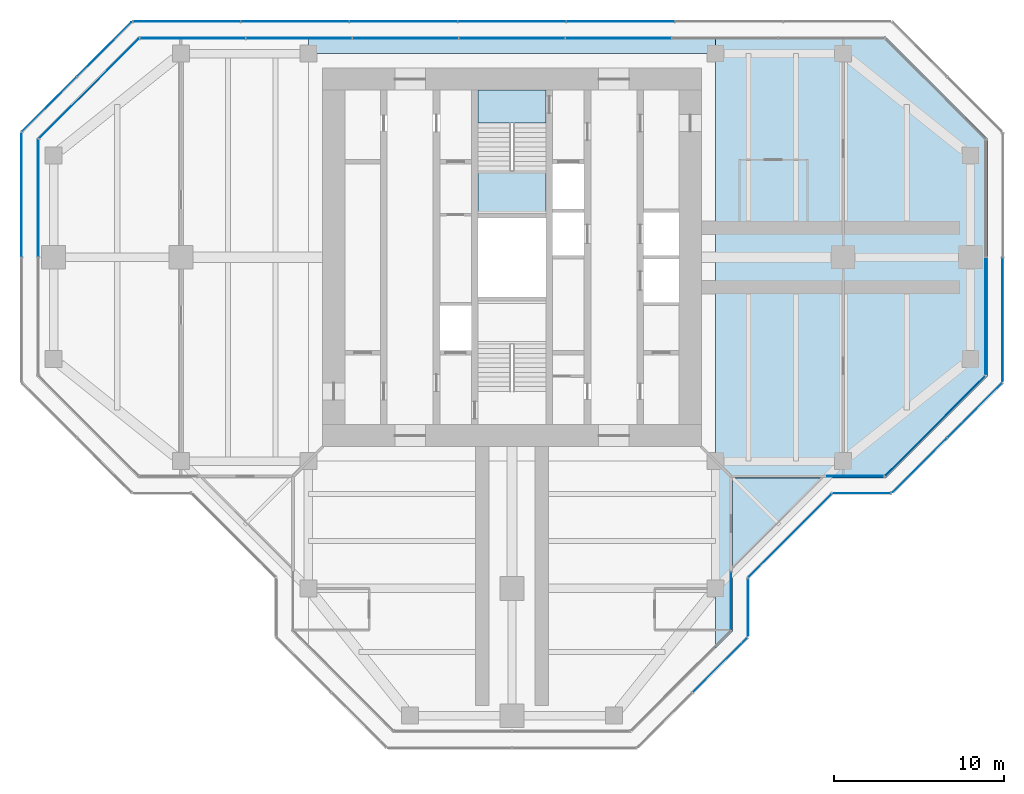
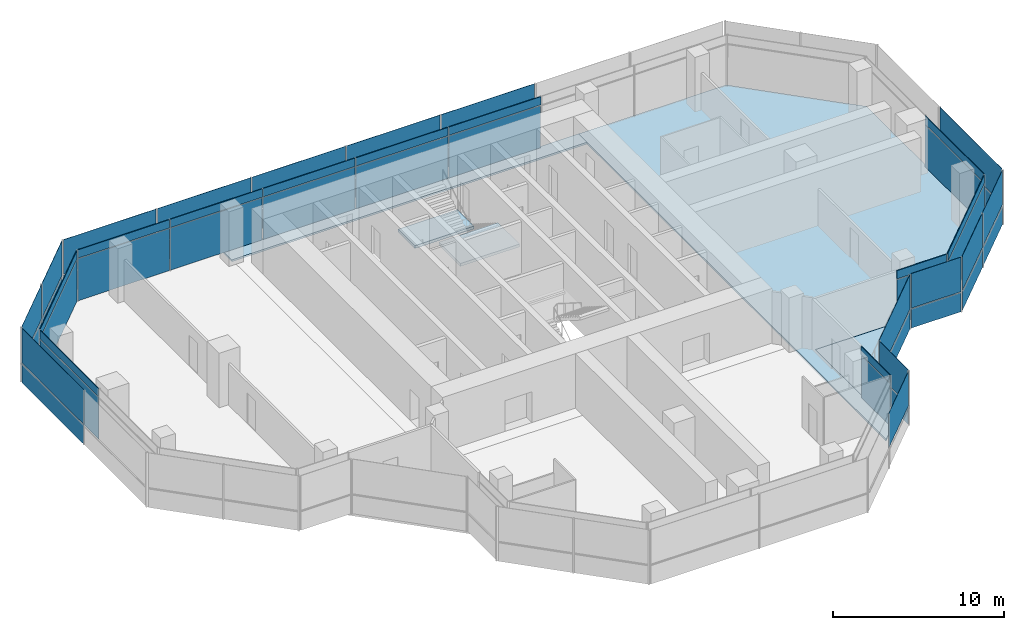
# One storey, part 10 of 15: 51 plates, 5 slabs, 17 elements without a shape of their own.
"""IFC4 building model written with IfcOpenShell, lengths in metres."""

from ifc_helpers import new_model, si_unit, direction, frame, origin, origin_2d, place, context, subcontext, project, spatial, polyline, rectangle, outline, extrude, material, layer, layer_set, type_object, element, aggregate, save


model = new_model("IFC4")

# Units and contexts
model_context = context("Model", 3, precision=1e-05, world=origin(), true_north=direction((0.0, 1.0)))
body_context = subcontext(model_context, "Body", "Model", "MODEL_VIEW")
ifc_project = project(units=[si_unit("LENGTHUNIT", "METRE"), si_unit("AREAUNIT", "SQUARE_METRE"), si_unit("VOLUMEUNIT", "CUBIC_METRE"), si_unit("PLANEANGLEUNIT", "RADIAN"), si_unit("MASSUNIT", "GRAM", prefix="KILO")], contexts=[model_context])

# Site, building, storey
site_placement = place(None, origin())
site = spatial("IfcSite", under=ifc_project, at=site_placement, CompositionType="ELEMENT")
building_placement = place(site_placement, origin())
building = spatial("IfcBuilding", under=site, at=building_placement, Name="Mizan Broadcast Tower", CompositionType="ELEMENT")
storey_placement = place(building_placement, frame((0.0, 0.0, 302.39990234375)))
storey = spatial("IfcBuildingStorey", under=building, at=storey_placement, Name="L72", CompositionType="ELEMENT", Elevation=302.39990234375)

# Slabs
ifc_material_1 = material(Name="Concrete C32/40", Category="concrete")
ifc_layer_1 = layer(ifc_material_1, 0.1298828125)
ifc_layer_set_1 = layer_set([ifc_layer_1], Name="Concrete C32/40")
slab_type_1 = type_object("IfcSlabType", Name="COMPOSITE DECK SLAB 130", PredefinedType="FLOOR", material=ifc_layer_set_1)
slab_1_placement = place(storey_placement, frame((0.0, 0.0, -0.1298828125)))
element("IfcSlab", 1, at=slab_1_placement, inside=storey, type_object=slab_type_1, Name="Floor slab L72 east arm", PredefinedType="FLOOR", context=body_context, shape_type="SweptSolid", body=[
    extrude(outline(polyline([(12.0, -23.0), (13.0, -22.0), (13.0, -13.0), (22.0, -13.0), (28.0, -7.0), (28.0, 7.0), (22.0, 13.0), (13.0, 13.0), (12.0, 13.0), (12.0, -23.0)])), origin(), (0.0, 0.0, 1.0), 0.1298828125),
])
slab_2_placement = place(storey_placement, frame((0.0, 0.0, -0.1298828125)))
element("IfcSlab", 2, at=slab_2_placement, inside=storey, type_object=slab_type_1, Name="Floor slab L72 north arm", PredefinedType="FLOOR", context=body_context, shape_type="SweptSolid", body=[
    extrude(outline(polyline([(12.0, 13.0), (-12.0, 13.0), (-12.0, 12.0), (12.0, 12.0), (12.0, 13.0)])), origin(), (0.0, 0.0, 1.0), 0.1298828125),
])

# Curtain wall, plate
ifc_material_2 = material(Name="Aluminium framed glazing", Category="aluminium")
curtain_wall_type_1 = type_object("IfcCurtainWallType", Name="INNER SKIN TOP ZONE", PredefinedType="USERDEFINED", material=ifc_material_2)
curtain_wall_1_placement = place(storey_placement, origin())
curtain_wall_1 = element("IfcCurtainWall", 3, at=curtain_wall_1_placement, inside=storey, type_object=curtain_wall_type_1, Name="Inner skin top zone L72 E side", ObjectType="INNER SKIN TOP ZONE", PredefinedType="USERDEFINED")
ifc_material_3 = material(Name="Double glazing, clear low-e", Category="glass")
ifc_layer_2 = layer(ifc_material_3, 0.028076171875)
ifc_layer_set_2 = layer_set([ifc_layer_2], Name="Double glazing, clear low-e")
plate_type_1 = type_object("IfcPlateType", Name="INNER SKIN GLAZING UNIT", PredefinedType="CURTAIN_PANEL", material=ifc_layer_set_2)
plate_1_placement = place(storey_placement, frame((20.229248046875, -12.89990234375, 0.0), z_axis=(0.0, 0.0, 1.0), x_axis=(1.0, 0.0, 0.0)))
plate_1 = element("IfcPlate", 4, at=plate_1_placement, type_object=plate_type_1, Name="Inner skin top zone L72 E side panel 1.1", PredefinedType="CURTAIN_PANEL", context=body_context, shape_type="SweptSolid", body=[
    extrude(rectangle(XDim=3.338623046875, YDim=0.028076171875, at=origin_2d()), origin(), (0.0, 0.0, 1.0), 3.0),
])

curtain_wall_2_placement = place(storey_placement, origin())
curtain_wall_2 = element("IfcCurtainWall", 5, at=curtain_wall_2_placement, inside=storey, type_object=curtain_wall_type_1, Name="Inner skin top zone L72 E chamfer", ObjectType="INNER SKIN TOP ZONE", PredefinedType="USERDEFINED")
plate_2_placement = place(storey_placement, frame((24.92919921875, -9.92919921875, 0.0), z_axis=(0.0, 0.0, 1.0), x_axis=(0.707106781187, 0.707106781187, 0.0)))
plate_2 = element("IfcPlate", 6, at=plate_2_placement, type_object=plate_type_1, Name="Inner skin top zone L72 E chamfer panel 1.1", PredefinedType="CURTAIN_PANEL", context=body_context, shape_type="SweptSolid", body=[
    extrude(rectangle(XDim=8.282470703125, YDim=0.028076171875, at=origin_2d()), origin(), (0.0, 0.0, 1.0), 3.0),
])

curtain_wall_3_placement = place(storey_placement, origin())
curtain_wall_3 = element("IfcCurtainWall", 7, at=curtain_wall_3_placement, inside=storey, type_object=curtain_wall_type_1, Name="Inner skin top zone L72 E end", ObjectType="INNER SKIN TOP ZONE", PredefinedType="USERDEFINED")
plate_3_placement = place(storey_placement, frame((27.89990234375, -3.46435546875, 0.0), z_axis=(0.0, 0.0, 1.0), x_axis=(0.0, 1.0, 0.0)))
plate_3 = element("IfcPlate", 8, at=plate_3_placement, type_object=plate_type_1, Name="Inner skin top zone L72 E end panel 1.1", PredefinedType="CURTAIN_PANEL", context=body_context, shape_type="SweptSolid", body=[
    extrude(rectangle(XDim=6.86865234375, YDim=0.028076171875, at=origin_2d()), origin(), (0.0, 0.0, 1.0), 3.0),
])

# Curtain wall, plates
curtain_wall_4_placement = place(storey_placement, origin())
curtain_wall_4 = element("IfcCurtainWall", 9, at=curtain_wall_4_placement, inside=storey, type_object=curtain_wall_type_1, Name="Inner skin top zone L72 N end", ObjectType="INNER SKIN TOP ZONE", PredefinedType="USERDEFINED")
plate_4_placement = place(storey_placement, frame((6.27392578125, 12.89990234375, 0.0), z_axis=(0.0, 0.0, 1.0), x_axis=(-1.0, 0.0, 0.0)))
plate_4 = element("IfcPlate", 10, at=plate_4_placement, type_object=plate_type_1, Name="Inner skin top zone L72 N end panel 3.1", PredefinedType="CURTAIN_PANEL", context=body_context, shape_type="SweptSolid", body=[
    extrude(rectangle(XDim=6.2138671875, YDim=0.028076171875, at=origin_2d()), origin(), (0.0, 0.0, 1.0), 3.0),
])
plate_5_placement = place(storey_placement, frame((0.0, 12.89990234375, 0.0), z_axis=(0.0, 0.0, 1.0), x_axis=(-1.0, 0.0, 0.0)))
plate_5 = element("IfcPlate", 11, at=plate_5_placement, type_object=plate_type_1, Name="Inner skin top zone L72 N end panel 4.1", PredefinedType="CURTAIN_PANEL", context=body_context, shape_type="SweptSolid", body=[
    extrude(rectangle(XDim=6.2138671875, YDim=0.028076171875, at=origin_2d()), origin(), (0.0, 0.0, 1.0), 3.0),
])
plate_6_placement = place(storey_placement, frame((-6.27392578125, 12.89990234375, 0.0), z_axis=(0.0, 0.0, 1.0), x_axis=(-1.0, 0.0, 0.0)))
plate_6 = element("IfcPlate", 12, at=plate_6_placement, type_object=plate_type_1, Name="Inner skin top zone L72 N end panel 5.1", PredefinedType="CURTAIN_PANEL", context=body_context, shape_type="SweptSolid", body=[
    extrude(rectangle(XDim=6.2138671875, YDim=0.028076171875, at=origin_2d()), origin(), (0.0, 0.0, 1.0), 3.0),
])
plate_7_placement = place(storey_placement, frame((-12.5478515625, 12.89990234375, 0.0), z_axis=(0.0, 0.0, 1.0), x_axis=(-1.0, 0.0, 0.0)))
plate_7 = element("IfcPlate", 13, at=plate_7_placement, type_object=plate_type_1, Name="Inner skin top zone L72 N end panel 6.1", PredefinedType="CURTAIN_PANEL", context=body_context, shape_type="SweptSolid", body=[
    extrude(rectangle(XDim=6.2138671875, YDim=0.028076171875, at=origin_2d()), origin(), (0.0, 0.0, 1.0), 3.0),
])
plate_8_placement = place(storey_placement, frame((-18.806640625, 12.89990234375, 0.0), z_axis=(0.0, 0.0, 1.0), x_axis=(-1.0, 0.0, 0.0)))
plate_8 = element("IfcPlate", 14, at=plate_8_placement, type_object=plate_type_1, Name="Inner skin top zone L72 N end panel 7.1", PredefinedType="CURTAIN_PANEL", context=body_context, shape_type="SweptSolid", body=[
    extrude(rectangle(XDim=6.183837890625, YDim=0.028076171875, at=origin_2d()), origin(), (0.0, 0.0, 1.0), 3.0),
])

# Curtain wall, plate
curtain_wall_5_placement = place(storey_placement, origin())
curtain_wall_5 = element("IfcCurtainWall", 15, at=curtain_wall_5_placement, inside=storey, type_object=curtain_wall_type_1, Name="Inner skin top zone L72 W chamfer", ObjectType="INNER SKIN TOP ZONE", PredefinedType="USERDEFINED")
plate_9_placement = place(storey_placement, frame((-24.92919921875, 9.92919921875, 0.0), z_axis=(0.0, 0.0, 1.0), x_axis=(-0.707106781187, -0.707106781187, 0.0)))
plate_9 = element("IfcPlate", 16, at=plate_9_placement, type_object=plate_type_1, Name="Inner skin top zone L72 W chamfer panel 1.1", PredefinedType="CURTAIN_PANEL", context=body_context, shape_type="SweptSolid", body=[
    extrude(rectangle(XDim=8.282470703125, YDim=0.028076171875, at=origin_2d()), origin(), (0.0, 0.0, 1.0), 3.0),
])

curtain_wall_6_placement = place(storey_placement, origin())
curtain_wall_6 = element("IfcCurtainWall", 17, at=curtain_wall_6_placement, inside=storey, type_object=curtain_wall_type_1, Name="Inner skin top zone L72 W end", ObjectType="INNER SKIN TOP ZONE", PredefinedType="USERDEFINED")
plate_10_placement = place(storey_placement, frame((-27.89990234375, 3.46435546875, 0.0), z_axis=(0.0, 0.0, 1.0), x_axis=(0.0, -1.0, 0.0)))
plate_10 = element("IfcPlate", 18, at=plate_10_placement, type_object=plate_type_1, Name="Inner skin top zone L72 W end panel 1.1", PredefinedType="CURTAIN_PANEL", context=body_context, shape_type="SweptSolid", body=[
    extrude(rectangle(XDim=6.86865234375, YDim=0.028076171875, at=origin_2d()), origin(), (0.0, 0.0, 1.0), 3.0),
])

curtain_wall_7_placement = place(storey_placement, origin())
curtain_wall_7 = element("IfcCurtainWall", 19, at=curtain_wall_7_placement, inside=storey, type_object=curtain_wall_type_1, Name="Inner skin top zone L72 S side", ObjectType="INNER SKIN TOP ZONE", PredefinedType="USERDEFINED")
plate_11_placement = place(storey_placement, frame((12.89990234375, -20.229248046875, 0.0), z_axis=(0.0, 0.0, 1.0), x_axis=(0.0, 1.0, 0.0)))
plate_11 = element("IfcPlate", 20, at=plate_11_placement, type_object=plate_type_1, Name="Inner skin top zone L72 S side panel 1.1", PredefinedType="CURTAIN_PANEL", context=body_context, shape_type="SweptSolid", body=[
    extrude(rectangle(XDim=3.338623046875, YDim=0.028076171875, at=origin_2d()), origin(), (0.0, 0.0, 1.0), 3.0),
])

# Plate
ifc_material_4 = material(Name="Insulated aluminium spandrel panel, pale anodised", Category="aluminium")
ifc_layer_3 = layer(ifc_material_4, 0.050048828125)
ifc_layer_set_3 = layer_set([ifc_layer_3], Name="Insulated aluminium spandrel panel, pale anodised")
plate_type_2 = type_object("IfcPlateType", Name="INNER SKIN SPANDREL PANEL", PredefinedType="CURTAIN_PANEL", material=ifc_layer_set_3)
plate_12_placement = place(storey_placement, frame((20.229248046875, -12.89990234375, 3.06005859375), z_axis=(0.0, 0.0, 1.0), x_axis=(1.0, 0.0, 0.0)))
plate_12 = element("IfcPlate", 21, at=plate_12_placement, type_object=plate_type_2, Name="Inner skin top zone L72 E side panel 1.2", PredefinedType="CURTAIN_PANEL", context=body_context, shape_type="SweptSolid", body=[
    extrude(rectangle(XDim=3.338623046875, YDim=0.050048828125, at=origin_2d()), origin(), (0.0, 0.0, 1.0), 0.590087890625),
])

aggregate(curtain_wall_1, [plate_1, plate_12])

plate_13_placement = place(storey_placement, frame((24.92919921875, -9.92919921875, 3.06005859375), z_axis=(0.0, 0.0, 1.0), x_axis=(0.707106781187, 0.707106781187, 0.0)))
plate_13 = element("IfcPlate", 22, at=plate_13_placement, type_object=plate_type_2, Name="Inner skin top zone L72 E chamfer panel 1.2", PredefinedType="CURTAIN_PANEL", context=body_context, shape_type="SweptSolid", body=[
    extrude(rectangle(XDim=8.282470703125, YDim=0.050048828125, at=origin_2d()), origin(), (0.0, 0.0, 1.0), 0.590087890625),
])

aggregate(curtain_wall_2, [plate_2, plate_13])

plate_14_placement = place(storey_placement, frame((27.89990234375, -3.46435546875, 3.06005859375), z_axis=(0.0, 0.0, 1.0), x_axis=(0.0, 1.0, 0.0)))
plate_14 = element("IfcPlate", 23, at=plate_14_placement, type_object=plate_type_2, Name="Inner skin top zone L72 E end panel 1.2", PredefinedType="CURTAIN_PANEL", context=body_context, shape_type="SweptSolid", body=[
    extrude(rectangle(XDim=6.86865234375, YDim=0.050048828125, at=origin_2d()), origin(), (0.0, 0.0, 1.0), 0.590087890625),
])

aggregate(curtain_wall_3, [plate_3, plate_14])

plate_15_placement = place(storey_placement, frame((6.27392578125, 12.89990234375, 3.06005859375), z_axis=(0.0, 0.0, 1.0), x_axis=(-1.0, 0.0, 0.0)))
plate_15 = element("IfcPlate", 24, at=plate_15_placement, type_object=plate_type_2, Name="Inner skin top zone L72 N end panel 3.2", PredefinedType="CURTAIN_PANEL", context=body_context, shape_type="SweptSolid", body=[
    extrude(rectangle(XDim=6.2138671875, YDim=0.050048828125, at=origin_2d()), origin(), (0.0, 0.0, 1.0), 0.590087890625),
])

plate_16_placement = place(storey_placement, frame((0.0, 12.89990234375, 3.06005859375), z_axis=(0.0, 0.0, 1.0), x_axis=(-1.0, 0.0, 0.0)))
plate_16 = element("IfcPlate", 25, at=plate_16_placement, type_object=plate_type_2, Name="Inner skin top zone L72 N end panel 4.2", PredefinedType="CURTAIN_PANEL", context=body_context, shape_type="SweptSolid", body=[
    extrude(rectangle(XDim=6.2138671875, YDim=0.050048828125, at=origin_2d()), origin(), (0.0, 0.0, 1.0), 0.590087890625),
])

plate_17_placement = place(storey_placement, frame((-6.27392578125, 12.89990234375, 3.06005859375), z_axis=(0.0, 0.0, 1.0), x_axis=(-1.0, 0.0, 0.0)))
plate_17 = element("IfcPlate", 26, at=plate_17_placement, type_object=plate_type_2, Name="Inner skin top zone L72 N end panel 5.2", PredefinedType="CURTAIN_PANEL", context=body_context, shape_type="SweptSolid", body=[
    extrude(rectangle(XDim=6.2138671875, YDim=0.050048828125, at=origin_2d()), origin(), (0.0, 0.0, 1.0), 0.590087890625),
])

plate_18_placement = place(storey_placement, frame((-12.5478515625, 12.89990234375, 3.06005859375), z_axis=(0.0, 0.0, 1.0), x_axis=(-1.0, 0.0, 0.0)))
plate_18 = element("IfcPlate", 27, at=plate_18_placement, type_object=plate_type_2, Name="Inner skin top zone L72 N end panel 6.2", PredefinedType="CURTAIN_PANEL", context=body_context, shape_type="SweptSolid", body=[
    extrude(rectangle(XDim=6.2138671875, YDim=0.050048828125, at=origin_2d()), origin(), (0.0, 0.0, 1.0), 0.590087890625),
])

plate_19_placement = place(storey_placement, frame((-18.806640625, 12.89990234375, 3.06005859375), z_axis=(0.0, 0.0, 1.0), x_axis=(-1.0, 0.0, 0.0)))
plate_19 = element("IfcPlate", 28, at=plate_19_placement, type_object=plate_type_2, Name="Inner skin top zone L72 N end panel 7.2", PredefinedType="CURTAIN_PANEL", context=body_context, shape_type="SweptSolid", body=[
    extrude(rectangle(XDim=6.183837890625, YDim=0.050048828125, at=origin_2d()), origin(), (0.0, 0.0, 1.0), 0.590087890625),
])

aggregate(curtain_wall_4, [plate_4, plate_15, plate_5, plate_16, plate_6, plate_17, plate_7, plate_18, plate_8, plate_19])

plate_20_placement = place(storey_placement, frame((-24.92919921875, 9.92919921875, 3.06005859375), z_axis=(0.0, 0.0, 1.0), x_axis=(-0.707106781187, -0.707106781187, 0.0)))
plate_20 = element("IfcPlate", 29, at=plate_20_placement, type_object=plate_type_2, Name="Inner skin top zone L72 W chamfer panel 1.2", PredefinedType="CURTAIN_PANEL", context=body_context, shape_type="SweptSolid", body=[
    extrude(rectangle(XDim=8.282470703125, YDim=0.050048828125, at=origin_2d()), origin(), (0.0, 0.0, 1.0), 0.590087890625),
])

aggregate(curtain_wall_5, [plate_9, plate_20])

plate_21_placement = place(storey_placement, frame((-27.89990234375, 3.46435546875, 3.06005859375), z_axis=(0.0, 0.0, 1.0), x_axis=(0.0, -1.0, 0.0)))
plate_21 = element("IfcPlate", 30, at=plate_21_placement, type_object=plate_type_2, Name="Inner skin top zone L72 W end panel 1.2", PredefinedType="CURTAIN_PANEL", context=body_context, shape_type="SweptSolid", body=[
    extrude(rectangle(XDim=6.86865234375, YDim=0.050048828125, at=origin_2d()), origin(), (0.0, 0.0, 1.0), 0.590087890625),
])

aggregate(curtain_wall_6, [plate_10, plate_21])

plate_22_placement = place(storey_placement, frame((12.89990234375, -20.229248046875, 3.06005859375), z_axis=(0.0, 0.0, 1.0), x_axis=(0.0, 1.0, 0.0)))
plate_22 = element("IfcPlate", 31, at=plate_22_placement, type_object=plate_type_2, Name="Inner skin top zone L72 S side panel 1.2", PredefinedType="CURTAIN_PANEL", context=body_context, shape_type="SweptSolid", body=[
    extrude(rectangle(XDim=3.338623046875, YDim=0.050048828125, at=origin_2d()), origin(), (0.0, 0.0, 1.0), 0.590087890625),
])

aggregate(curtain_wall_7, [plate_11, plate_22])

# Curtain wall, plates
ifc_material_5 = material(Name="Aluminium framed glazing", Category="aluminium")
curtain_wall_type_2 = type_object("IfcCurtainWallType", Name="OUTER SKIN", PredefinedType="USERDEFINED", material=ifc_material_5)
curtain_wall_8_placement = place(storey_placement, origin())
curtain_wall_8 = element("IfcCurtainWall", 32, at=curtain_wall_8_placement, inside=storey, type_object=curtain_wall_type_2, Name="Outer skin L72 S side", ObjectType="OUTER SKIN", PredefinedType="USERDEFINED")
ifc_material_6 = material(Name="Laminated clear glass", Category="glass")
ifc_layer_4 = layer(ifc_material_6, 0.02001953125)
ifc_layer_set_4 = layer_set([ifc_layer_4], Name="Laminated clear glass")
plate_type_3 = type_object("IfcPlateType", Name="OUTER SKIN CLEAR GLASS", PredefinedType="CURTAIN_PANEL", material=ifc_layer_set_4)
plate_23_placement = place(storey_placement, frame((13.89990234375, -20.622802734375, 0.0), z_axis=(0.0, 0.0, 1.0), x_axis=(0.0, 1.0, 0.0)))
plate_23 = element("IfcPlate", 33, at=plate_23_placement, type_object=plate_type_3, Name="Outer skin L72 S side panel 1.1", PredefinedType="CURTAIN_PANEL", context=body_context, shape_type="SweptSolid", body=[
    extrude(rectangle(XDim=3.340087890625, YDim=0.02001953125, at=origin_2d()), origin(), (0.0, 0.0, 1.0), 1.3701171875),
])
plate_24_placement = place(storey_placement, frame((13.89990234375, -20.622802734375, 1.43017578125), z_axis=(0.0, 0.0, 1.0), x_axis=(0.0, 1.0, 0.0)))
plate_24 = element("IfcPlate", 34, at=plate_24_placement, type_object=plate_type_3, Name="Outer skin L72 S side panel 1.2", PredefinedType="CURTAIN_PANEL", context=body_context, shape_type="SweptSolid", body=[
    extrude(rectangle(XDim=3.340087890625, YDim=0.02001953125, at=origin_2d()), origin(), (0.0, 0.0, 1.0), 2.469970703125),
])
aggregate(curtain_wall_8, [plate_23, plate_24])

curtain_wall_9_placement = place(storey_placement, origin())
curtain_wall_9 = element("IfcCurtainWall", 35, at=curtain_wall_9_placement, inside=storey, type_object=curtain_wall_type_2, Name="Outer skin L72 E chamfer", ObjectType="OUTER SKIN", PredefinedType="USERDEFINED")
plate_25_placement = place(storey_placement, frame((16.386474609375, -16.386474609375, 0.0), z_axis=(0.0, 0.0, 1.0), x_axis=(0.707106781187, 0.707106781187, 0.0)))
plate_25 = element("IfcPlate", 36, at=plate_25_placement, type_object=plate_type_3, Name="Outer skin L72 E chamfer panel 1.1", PredefinedType="CURTAIN_PANEL", context=body_context, shape_type="SweptSolid", body=[
    extrude(rectangle(XDim=6.87255859375, YDim=0.02001953125, at=origin_2d()), origin(), (0.0, 0.0, 1.0), 1.3701171875),
])
plate_26_placement = place(storey_placement, frame((16.386474609375, -16.386474609375, 1.43017578125), z_axis=(0.0, 0.0, 1.0), x_axis=(0.707106781187, 0.707106781187, 0.0)))
plate_26 = element("IfcPlate", 37, at=plate_26_placement, type_object=plate_type_3, Name="Outer skin L72 E chamfer panel 1.2", PredefinedType="CURTAIN_PANEL", context=body_context, shape_type="SweptSolid", body=[
    extrude(rectangle(XDim=6.87255859375, YDim=0.02001953125, at=origin_2d()), origin(), (0.0, 0.0, 1.0), 2.469970703125),
])
aggregate(curtain_wall_9, [plate_25, plate_26])

curtain_wall_10_placement = place(storey_placement, origin())
curtain_wall_10 = element("IfcCurtainWall", 38, at=curtain_wall_10_placement, inside=storey, type_object=curtain_wall_type_2, Name="Outer skin L72 E side", ObjectType="OUTER SKIN", PredefinedType="USERDEFINED")
plate_27_placement = place(storey_placement, frame((20.622802734375, -13.89990234375, 0.0), z_axis=(0.0, 0.0, 1.0), x_axis=(1.0, 0.0, 0.0)))
plate_27 = element("IfcPlate", 39, at=plate_27_placement, type_object=plate_type_3, Name="Outer skin L72 E side panel 1.1", PredefinedType="CURTAIN_PANEL", context=body_context, shape_type="SweptSolid", body=[
    extrude(rectangle(XDim=3.340087890625, YDim=0.02001953125, at=origin_2d()), origin(), (0.0, 0.0, 1.0), 1.3701171875),
])
plate_28_placement = place(storey_placement, frame((20.622802734375, -13.89990234375, 1.43017578125), z_axis=(0.0, 0.0, 1.0), x_axis=(1.0, 0.0, 0.0)))
plate_28 = element("IfcPlate", 40, at=plate_28_placement, type_object=plate_type_3, Name="Outer skin L72 E side panel 1.2", PredefinedType="CURTAIN_PANEL", context=body_context, shape_type="SweptSolid", body=[
    extrude(rectangle(XDim=3.340087890625, YDim=0.02001953125, at=origin_2d()), origin(), (0.0, 0.0, 1.0), 2.469970703125),
])
aggregate(curtain_wall_10, [plate_27, plate_28])

curtain_wall_11_placement = place(storey_placement, origin())
curtain_wall_11 = element("IfcCurtainWall", 41, at=curtain_wall_11_placement, inside=storey, type_object=curtain_wall_type_2, Name="Outer skin L72 E chamfer", ObjectType="OUTER SKIN", PredefinedType="USERDEFINED")
plate_29_placement = place(storey_placement, frame((24.018798828125, -12.254150390625, 0.0), z_axis=(0.0, 0.0, 1.0), x_axis=(0.707106781187, 0.707106781187, 0.0)))
plate_29 = element("IfcPlate", 42, at=plate_29_placement, type_object=plate_type_3, Name="Outer skin L72 E chamfer panel 1.1", PredefinedType="CURTAIN_PANEL", context=body_context, shape_type="SweptSolid", body=[
    extrude(rectangle(XDim=4.495361328125, YDim=0.02001953125, at=origin_2d()), origin(), (0.0, 0.0, 1.0), 1.3701171875),
])
plate_30_placement = place(storey_placement, frame((24.018798828125, -12.254150390625, 1.43017578125), z_axis=(0.0, 0.0, 1.0), x_axis=(0.707106781187, 0.707106781187, 0.0)))
plate_30 = element("IfcPlate", 43, at=plate_30_placement, type_object=plate_type_3, Name="Outer skin L72 E chamfer panel 1.2", PredefinedType="CURTAIN_PANEL", context=body_context, shape_type="SweptSolid", body=[
    extrude(rectangle(XDim=4.495361328125, YDim=0.02001953125, at=origin_2d()), origin(), (0.0, 0.0, 1.0), 2.469970703125),
])

curtain_wall_12_placement = place(storey_placement, origin())
curtain_wall_12 = element("IfcCurtainWall", 44, at=curtain_wall_12_placement, inside=storey, type_object=curtain_wall_type_2, Name="Outer skin L72 E end", ObjectType="OUTER SKIN", PredefinedType="USERDEFINED")
plate_31_placement = place(storey_placement, frame((28.89990234375, -3.66650390625, 0.0), z_axis=(0.0, 0.0, 1.0), x_axis=(0.0, 1.0, 0.0)))
plate_31 = element("IfcPlate", 45, at=plate_31_placement, type_object=plate_type_3, Name="Outer skin L72 E end panel 1.1", PredefinedType="CURTAIN_PANEL", context=body_context, shape_type="SweptSolid", body=[
    extrude(rectangle(XDim=7.252685546875, YDim=0.02001953125, at=origin_2d()), origin(), (0.0, 0.0, 1.0), 1.3701171875),
])
plate_32_placement = place(storey_placement, frame((28.89990234375, -3.66650390625, 1.43017578125), z_axis=(0.0, 0.0, 1.0), x_axis=(0.0, 1.0, 0.0)))
plate_32 = element("IfcPlate", 46, at=plate_32_placement, type_object=plate_type_3, Name="Outer skin L72 E end panel 1.2", PredefinedType="CURTAIN_PANEL", context=body_context, shape_type="SweptSolid", body=[
    extrude(rectangle(XDim=7.252685546875, YDim=0.02001953125, at=origin_2d()), origin(), (0.0, 0.0, 1.0), 2.469970703125),
])
aggregate(curtain_wall_12, [plate_31, plate_32])

curtain_wall_13_placement = place(storey_placement, origin())
curtain_wall_13 = element("IfcCurtainWall", 47, at=curtain_wall_13_placement, inside=storey, type_object=curtain_wall_type_2, Name="Outer skin L72 N end", ObjectType="OUTER SKIN", PredefinedType="USERDEFINED")
plate_33_placement = place(storey_placement, frame((6.392333984375, 13.89990234375, 0.0), z_axis=(0.0, 0.0, 1.0), x_axis=(-1.0, 0.0, 0.0)))
plate_33 = element("IfcPlate", 48, at=plate_33_placement, type_object=plate_type_3, Name="Outer skin L72 N end panel 3.1", PredefinedType="CURTAIN_PANEL", context=body_context, shape_type="SweptSolid", body=[
    extrude(rectangle(XDim=6.312255859375, YDim=0.02001953125, at=origin_2d()), origin(), (0.0, 0.0, 1.0), 1.3701171875),
])
plate_34_placement = place(storey_placement, frame((6.392333984375, 13.89990234375, 1.43017578125), z_axis=(0.0, 0.0, 1.0), x_axis=(-1.0, 0.0, 0.0)))
plate_34 = element("IfcPlate", 49, at=plate_34_placement, type_object=plate_type_3, Name="Outer skin L72 N end panel 3.2", PredefinedType="CURTAIN_PANEL", context=body_context, shape_type="SweptSolid", body=[
    extrude(rectangle(XDim=6.312255859375, YDim=0.02001953125, at=origin_2d()), origin(), (0.0, 0.0, 1.0), 2.469970703125),
])
plate_35_placement = place(storey_placement, frame((0.0, 13.89990234375, 0.0), z_axis=(0.0, 0.0, 1.0), x_axis=(-1.0, 0.0, 0.0)))
plate_35 = element("IfcPlate", 50, at=plate_35_placement, type_object=plate_type_3, Name="Outer skin L72 N end panel 4.1", PredefinedType="CURTAIN_PANEL", context=body_context, shape_type="SweptSolid", body=[
    extrude(rectangle(XDim=6.312255859375, YDim=0.02001953125, at=origin_2d()), origin(), (0.0, 0.0, 1.0), 1.3701171875),
])
plate_36_placement = place(storey_placement, frame((0.0, 13.89990234375, 1.43017578125), z_axis=(0.0, 0.0, 1.0), x_axis=(-1.0, 0.0, 0.0)))
plate_36 = element("IfcPlate", 51, at=plate_36_placement, type_object=plate_type_3, Name="Outer skin L72 N end panel 4.2", PredefinedType="CURTAIN_PANEL", context=body_context, shape_type="SweptSolid", body=[
    extrude(rectangle(XDim=6.312255859375, YDim=0.02001953125, at=origin_2d()), origin(), (0.0, 0.0, 1.0), 2.469970703125),
])
plate_37_placement = place(storey_placement, frame((-6.392333984375, 13.89990234375, 0.0), z_axis=(0.0, 0.0, 1.0), x_axis=(-1.0, 0.0, 0.0)))
plate_37 = element("IfcPlate", 52, at=plate_37_placement, type_object=plate_type_3, Name="Outer skin L72 N end panel 5.1", PredefinedType="CURTAIN_PANEL", context=body_context, shape_type="SweptSolid", body=[
    extrude(rectangle(XDim=6.312255859375, YDim=0.02001953125, at=origin_2d()), origin(), (0.0, 0.0, 1.0), 1.3701171875),
])
plate_38_placement = place(storey_placement, frame((-6.392333984375, 13.89990234375, 1.43017578125), z_axis=(0.0, 0.0, 1.0), x_axis=(-1.0, 0.0, 0.0)))
plate_38 = element("IfcPlate", 53, at=plate_38_placement, type_object=plate_type_3, Name="Outer skin L72 N end panel 5.2", PredefinedType="CURTAIN_PANEL", context=body_context, shape_type="SweptSolid", body=[
    extrude(rectangle(XDim=6.312255859375, YDim=0.02001953125, at=origin_2d()), origin(), (0.0, 0.0, 1.0), 2.469970703125),
])
plate_39_placement = place(storey_placement, frame((-12.784423828125, 13.89990234375, 0.0), z_axis=(0.0, 0.0, 1.0), x_axis=(-1.0, 0.0, 0.0)))
plate_39 = element("IfcPlate", 54, at=plate_39_placement, type_object=plate_type_3, Name="Outer skin L72 N end panel 6.1", PredefinedType="CURTAIN_PANEL", context=body_context, shape_type="SweptSolid", body=[
    extrude(rectangle(XDim=6.312255859375, YDim=0.02001953125, at=origin_2d()), origin(), (0.0, 0.0, 1.0), 1.3701171875),
])
plate_40_placement = place(storey_placement, frame((-12.784423828125, 13.89990234375, 1.43017578125), z_axis=(0.0, 0.0, 1.0), x_axis=(-1.0, 0.0, 0.0)))
plate_40 = element("IfcPlate", 55, at=plate_40_placement, type_object=plate_type_3, Name="Outer skin L72 N end panel 6.2", PredefinedType="CURTAIN_PANEL", context=body_context, shape_type="SweptSolid", body=[
    extrude(rectangle(XDim=6.312255859375, YDim=0.02001953125, at=origin_2d()), origin(), (0.0, 0.0, 1.0), 2.469970703125),
])
plate_41_placement = place(storey_placement, frame((-19.15673828125, 13.89990234375, 0.0), z_axis=(0.0, 0.0, 1.0), x_axis=(-1.0, 0.0, 0.0)))
plate_41 = element("IfcPlate", 56, at=plate_41_placement, type_object=plate_type_3, Name="Outer skin L72 N end panel 7.1", PredefinedType="CURTAIN_PANEL", context=body_context, shape_type="SweptSolid", body=[
    extrude(rectangle(XDim=6.272216796875, YDim=0.02001953125, at=origin_2d()), origin(), (0.0, 0.0, 1.0), 1.3701171875),
])
plate_42_placement = place(storey_placement, frame((-19.15673828125, 13.89990234375, 1.43017578125), z_axis=(0.0, 0.0, 1.0), x_axis=(-1.0, 0.0, 0.0)))
plate_42 = element("IfcPlate", 57, at=plate_42_placement, type_object=plate_type_3, Name="Outer skin L72 N end panel 7.2", PredefinedType="CURTAIN_PANEL", context=body_context, shape_type="SweptSolid", body=[
    extrude(rectangle(XDim=6.272216796875, YDim=0.02001953125, at=origin_2d()), origin(), (0.0, 0.0, 1.0), 2.469970703125),
])
aggregate(curtain_wall_13, [plate_33, plate_34, plate_35, plate_36, plate_37, plate_38, plate_39, plate_40, plate_41, plate_42])

curtain_wall_14_placement = place(storey_placement, origin())
curtain_wall_14 = element("IfcCurtainWall", 58, at=curtain_wall_14_placement, inside=storey, type_object=curtain_wall_type_2, Name="Outer skin L72 W chamfer", ObjectType="OUTER SKIN", PredefinedType="USERDEFINED")
plate_43_placement = place(storey_placement, frame((-24.018798828125, 12.254150390625, 0.0), z_axis=(0.0, 0.0, 1.0), x_axis=(-0.707106781187, -0.707106781187, 0.0)))
plate_43 = element("IfcPlate", 59, at=plate_43_placement, type_object=plate_type_3, Name="Outer skin L72 W chamfer panel 1.1", PredefinedType="CURTAIN_PANEL", context=body_context, shape_type="SweptSolid", body=[
    extrude(rectangle(XDim=4.495361328125, YDim=0.02001953125, at=origin_2d()), origin(), (0.0, 0.0, 1.0), 1.3701171875),
])
plate_44_placement = place(storey_placement, frame((-24.018798828125, 12.254150390625, 1.43017578125), z_axis=(0.0, 0.0, 1.0), x_axis=(-0.707106781187, -0.707106781187, 0.0)))
plate_44 = element("IfcPlate", 60, at=plate_44_placement, type_object=plate_type_3, Name="Outer skin L72 W chamfer panel 1.2", PredefinedType="CURTAIN_PANEL", context=body_context, shape_type="SweptSolid", body=[
    extrude(rectangle(XDim=4.495361328125, YDim=0.02001953125, at=origin_2d()), origin(), (0.0, 0.0, 1.0), 2.469970703125),
])

curtain_wall_15_placement = place(storey_placement, origin())
curtain_wall_15 = element("IfcCurtainWall", 61, at=curtain_wall_15_placement, inside=storey, type_object=curtain_wall_type_2, Name="Outer skin L72 W end", ObjectType="OUTER SKIN", PredefinedType="USERDEFINED")
plate_45_placement = place(storey_placement, frame((-28.89990234375, 3.66650390625, 0.0), z_axis=(0.0, 0.0, 1.0), x_axis=(0.0, -1.0, 0.0)))
plate_45 = element("IfcPlate", 62, at=plate_45_placement, type_object=plate_type_3, Name="Outer skin L72 W end panel 1.1", PredefinedType="CURTAIN_PANEL", context=body_context, shape_type="SweptSolid", body=[
    extrude(rectangle(XDim=7.252685546875, YDim=0.02001953125, at=origin_2d()), origin(), (0.0, 0.0, 1.0), 1.3701171875),
])
plate_46_placement = place(storey_placement, frame((-28.89990234375, 3.66650390625, 1.43017578125), z_axis=(0.0, 0.0, 1.0), x_axis=(0.0, -1.0, 0.0)))
plate_46 = element("IfcPlate", 63, at=plate_46_placement, type_object=plate_type_3, Name="Outer skin L72 W end panel 1.2", PredefinedType="CURTAIN_PANEL", context=body_context, shape_type="SweptSolid", body=[
    extrude(rectangle(XDim=7.252685546875, YDim=0.02001953125, at=origin_2d()), origin(), (0.0, 0.0, 1.0), 2.469970703125),
])
aggregate(curtain_wall_15, [plate_45, plate_46])

# Curtain wall, plate
curtain_wall_16_placement = place(storey_placement, origin())
curtain_wall_16 = element("IfcCurtainWall", 64, at=curtain_wall_16_placement, inside=storey, type_object=curtain_wall_type_2, Name="Outer skin L72 S chamfer", ObjectType="OUTER SKIN", PredefinedType="USERDEFINED")
ifc_material_7 = material(Name="Perforated aluminium, pale anodised", Category="aluminium")
ifc_layer_5 = layer(ifc_material_7, 0.011962890625)
ifc_layer_set_5 = layer_set([ifc_layer_5], Name="Perforated aluminium, pale anodised")
plate_type_4 = type_object("IfcPlateType", Name="OUTER SKIN PERFORATED SCREEN", PredefinedType="USERDEFINED", material=ifc_layer_set_5)
plate_47_placement = place(storey_placement, frame((12.254150390625, -24.018798828125, 1.43017578125), z_axis=(0.0, 0.0, 1.0), x_axis=(0.707106781187, 0.707106781187, 0.0)))
plate_47 = element("IfcPlate", 65, at=plate_47_placement, type_object=plate_type_4, Name="Outer skin L72 S chamfer panel 2.2", ObjectType="SCREEN", PredefinedType="USERDEFINED", context=body_context, shape_type="SweptSolid", body=[
    extrude(rectangle(XDim=4.495361328125, YDim=0.011962890625, at=origin_2d()), origin(), (0.0, 0.0, 1.0), 2.469970703125),
])
aggregate(curtain_wall_16, [plate_47])

# Plate
plate_48_placement = place(storey_placement, frame((27.254150390625, -9.018798828125, 0.0), z_axis=(0.0, 0.0, 1.0), x_axis=(0.707106781187, 0.707106781187, 0.0)))
plate_48 = element("IfcPlate", 66, at=plate_48_placement, type_object=plate_type_4, Name="Outer skin L72 E chamfer panel 2.1", ObjectType="SCREEN", PredefinedType="USERDEFINED", context=body_context, shape_type="SweptSolid", body=[
    extrude(rectangle(XDim=4.495361328125, YDim=0.011962890625, at=origin_2d()), origin(), (0.0, 0.0, 1.0), 1.3701171875),
])

plate_49_placement = place(storey_placement, frame((27.254150390625, -9.018798828125, 1.43017578125), z_axis=(0.0, 0.0, 1.0), x_axis=(0.707106781187, 0.707106781187, 0.0)))
plate_49 = element("IfcPlate", 67, at=plate_49_placement, type_object=plate_type_4, Name="Outer skin L72 E chamfer panel 2.2", ObjectType="SCREEN", PredefinedType="USERDEFINED", context=body_context, shape_type="SweptSolid", body=[
    extrude(rectangle(XDim=4.495361328125, YDim=0.011962890625, at=origin_2d()), origin(), (0.0, 0.0, 1.0), 2.469970703125),
])

aggregate(curtain_wall_11, [plate_29, plate_30, plate_48, plate_49])

plate_50_placement = place(storey_placement, frame((-27.254150390625, 9.018798828125, 0.0), z_axis=(0.0, 0.0, 1.0), x_axis=(-0.707106781187, -0.707106781187, 0.0)))
plate_50 = element("IfcPlate", 68, at=plate_50_placement, type_object=plate_type_4, Name="Outer skin L72 W chamfer panel 2.1", ObjectType="SCREEN", PredefinedType="USERDEFINED", context=body_context, shape_type="SweptSolid", body=[
    extrude(rectangle(XDim=4.495361328125, YDim=0.011962890625, at=origin_2d()), origin(), (0.0, 0.0, 1.0), 1.3701171875),
])

plate_51_placement = place(storey_placement, frame((-27.254150390625, 9.018798828125, 1.43017578125), z_axis=(0.0, 0.0, 1.0), x_axis=(-0.707106781187, -0.707106781187, 0.0)))
plate_51 = element("IfcPlate", 69, at=plate_51_placement, type_object=plate_type_4, Name="Outer skin L72 W chamfer panel 2.2", ObjectType="SCREEN", PredefinedType="USERDEFINED", context=body_context, shape_type="SweptSolid", body=[
    extrude(rectangle(XDim=4.495361328125, YDim=0.011962890625, at=origin_2d()), origin(), (0.0, 0.0, 1.0), 2.469970703125),
])

aggregate(curtain_wall_14, [plate_43, plate_44, plate_50, plate_51])

# Stair, slabs
ifc_material_8 = material(Name="Concrete C40/50", Category="concrete")
stair_type = type_object("IfcStairType", Name="EXIT STAIR", PredefinedType="HALF_TURN_STAIR", material=ifc_material_8)
stair_placement = place(storey_placement, origin())
stair = element("IfcStair", 70, at=stair_placement, inside=storey, type_object=stair_type, Name="Stair B L72", PredefinedType="HALF_TURN_STAIR")
ifc_material_9 = material(Name="Concrete C40/50", Category="concrete")
ifc_layer_6 = layer(ifc_material_9, 0.199951171875)
ifc_layer_set_6 = layer_set([ifc_layer_6], Name="Concrete C40/50")
slab_type_2 = type_object("IfcSlabType", Name="STAIR LANDING 200", PredefinedType="LANDING", material=ifc_layer_set_6)
slab_3_placement = place(storey_placement, frame((0.0, 0.0, -0.199951171875)))
slab_3 = element("IfcSlab", 71, at=slab_3_placement, type_object=slab_type_2, Name="B landing 1", PredefinedType="LANDING", context=body_context, shape_type="SweptSolid", body=[
    extrude(outline(polyline([(2.0, 9.85009765625), (2.0, 7.89990234375), (-2.0, 7.89990234375), (-2.0, 9.85009765625), (2.0, 9.85009765625)])), origin(), (0.0, 0.0, 1.0), 0.199951171875),
])
slab_4_placement = place(storey_placement, frame((0.0, 0.0, 1.75)))
slab_4 = element("IfcSlab", 72, at=slab_4_placement, type_object=slab_type_2, Name="B landing 2", PredefinedType="LANDING", context=body_context, shape_type="SweptSolid", body=[
    extrude(outline(polyline([(2.0, 5.10009765625), (2.0, 2.574951171875), (-2.0, 2.574951171875), (-2.0, 5.10009765625), (2.0, 5.10009765625)])), origin(), (0.0, 0.0, 1.0), 0.2001953125),
])
aggregate(stair, [slab_3, slab_4])

# Slab
ifc_material_10 = material(Name="Concrete C32/40", Category="concrete")
ifc_layer_7 = layer(ifc_material_10, 0.1298828125)
ifc_layer_set_7 = layer_set([ifc_layer_7], Name="Concrete C32/40")
slab_type_3 = type_object("IfcSlabType", Name="WINTER GARDEN SLAB 130", PredefinedType="FLOOR", material=ifc_layer_set_7)
slab_5_placement = place(storey_placement, frame((0.0, 0.0, -0.1298828125)))
element("IfcSlab", 73, at=slab_5_placement, inside=storey, type_object=slab_type_3, Name="Winter garden slab L72 S", PredefinedType="FLOOR", context=body_context, shape_type="SweptSolid", body=[
    extrude(outline(polyline([(13.0, -13.0), (13.0, -18.5), (18.5, -13.0), (13.0, -13.0)])), origin(), (0.0, 0.0, 1.0), 0.1298828125),
])

save(model, "model.ifc")
